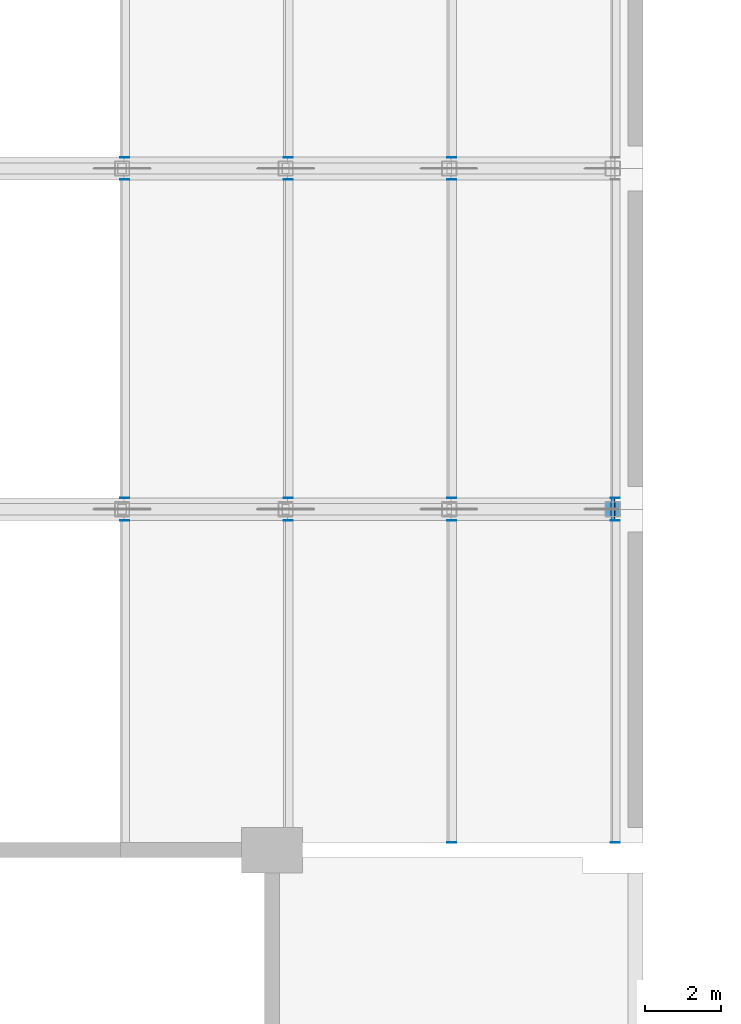
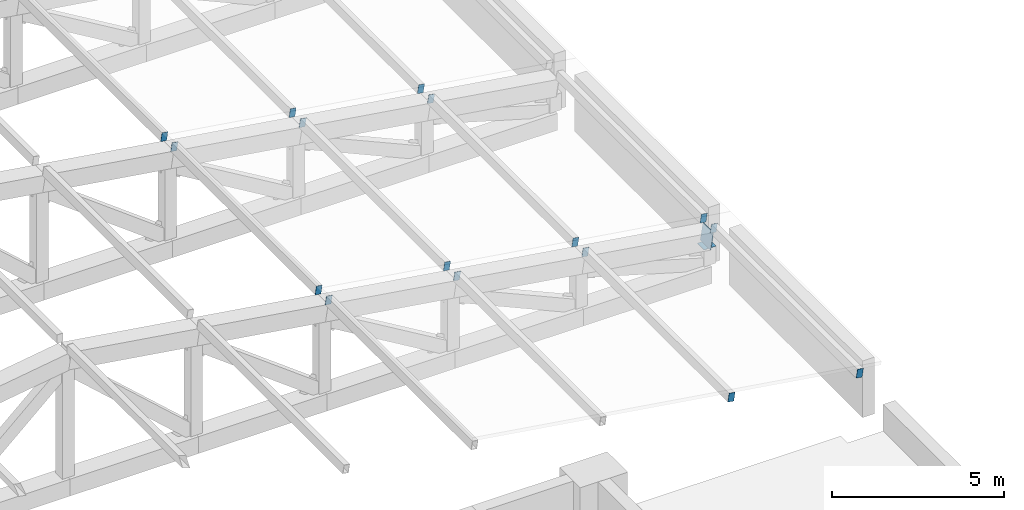
# One storey, part 28 of 32: 18 discrete accessories.
"""IFC4 building model written with IfcOpenShell, lengths in metres."""

from ifc_helpers import new_model, si_unit, direction, frame, origin, place, context, subcontext, project, spatial, polyline, outline, extrude, material, layer, layer_set, type_object, element, save


model = new_model("IFC4")

# Units and contexts
model_context = context("Model", 3, precision=1e-05, world=origin(), true_north=direction((0.0, 1.0)))
body_context = subcontext(model_context, "Body", "Model", "MODEL_VIEW")
ifc_project = project(units=[si_unit("LENGTHUNIT", "METRE"), si_unit("AREAUNIT", "SQUARE_METRE"), si_unit("VOLUMEUNIT", "CUBIC_METRE"), si_unit("PLANEANGLEUNIT", "RADIAN"), si_unit("MASSUNIT", "GRAM", prefix="KILO")], contexts=[model_context])

# Site, building, storey
site_placement = place(None, origin())
site = spatial("IfcSite", under=ifc_project, at=site_placement, CompositionType="ELEMENT")
building_placement = place(site_placement, origin())
building = spatial("IfcBuilding", under=site, at=building_placement, Name="Aravalli Gate Trade Fair Centre", CompositionType="ELEMENT")
storey_placement = place(building_placement, frame((0.0, 0.0, 23.39990234375)))
storey = spatial("IfcBuildingStorey", under=building, at=storey_placement, Name="ROOF LEVEL 1", CompositionType="ELEMENT", Elevation=23.39990234375)

# Discrete accessories
ifc_material = material(Name="Steel E350", Category="steel")
ifc_layer_1 = layer(ifc_material, 0.010009765625)
ifc_layer_set_1 = layer_set([ifc_layer_1], Name="Steel E350")
discrete_accessory_type_1 = type_object("IfcDiscreteAccessoryType", Name="End plate 200x300 x 10", PredefinedType="USERDEFINED", material=ifc_layer_set_1)
for number, where, z_axis, x_axis, name in (
    (1, (137.18408203125, 72.7099609375, 3.761474609375), (0.0, 1.0, 0.0), (-0.988456294987, 0.0, 0.151506280072), "End plate Roof purlin line 8 bay 1 end B"),
    (2, (137.18408203125, 73.300048828125, 3.761474609375), (0.0, 1.0, 0.0), (-0.988456294987, 0.0, 0.151506280072), "End plate Roof purlin line 8 bay 2 end A"),
    (3, (137.18408203125, 81.7099609375, 3.761474609375), (0.0, 1.0, 0.0), (-0.988456294987, 0.0, 0.151506280072), "End plate Roof purlin line 8 bay 2 end B"),
    (4, (137.18408203125, 82.300048828125, 3.761474609375), (0.0, 1.0, 0.0), (-0.988456294987, 0.0, 0.151506280072), "End plate Roof purlin line 8 bay 3 end A"),
):
    element("IfcDiscreteAccessory", number, at=place(storey_placement, frame(where, z_axis=z_axis, x_axis=x_axis)), inside=storey, type_object=discrete_accessory_type_1, Name=name, ObjectType="END CAP", PredefinedType="USERDEFINED", context=body_context, shape_type="SweptSolid", body=[
        extrude(outline(polyline([(0.0, 0.0), (0.19981638705398722, -3.469446951953614e-18), (0.2001131926484928, 0.30004957524953746), (5.5483256862352837e-05, 0.30008656408744566), (0.0, 0.0)])), origin(), (0.0, 0.0, -1.0), 0.010009765625),
    ])
for number, where, z_axis, x_axis, name in (
    (5, (141.504150390625, 72.7099609375, 3.1015625), (0.0, 1.0, 0.0), (-0.988666145559, 0.0, 0.150130785066), "End plate Roof purlin line 9 bay 1 end B"),
    (6, (141.504150390625, 73.300048828125, 3.1015625), (0.0, 1.0, 0.0), (-0.988666145559, 0.0, 0.150130785066), "End plate Roof purlin line 9 bay 2 end A"),
    (7, (141.504150390625, 81.7099609375, 3.1015625), (0.0, 1.0, 0.0), (-0.988666145559, 0.0, 0.150130785066), "End plate Roof purlin line 9 bay 2 end B"),
    (8, (141.504150390625, 82.300048828125, 3.1015625), (0.0, 1.0, 0.0), (-0.988666145559, 0.0, 0.150130785066), "End plate Roof purlin line 9 bay 3 end A"),
):
    element("IfcDiscreteAccessory", number, at=place(storey_placement, frame(where, z_axis=z_axis, x_axis=x_axis)), inside=storey, type_object=discrete_accessory_type_1, Name=name, ObjectType="END CAP", PredefinedType="USERDEFINED", context=body_context, shape_type="SweptSolid", body=[
        extrude(outline(polyline([(0.0, 0.0), (0.20002091417634477, -3.469446951953614e-18), (0.19965885382030493, 0.30008635080006396), (-0.00036206035603982695, 0.30008635080006396), (0.0, 0.0)])), origin(), (0.0, 0.0, -1.0), 0.010009765625),
    ])
for number, where, z_axis, x_axis, name in (
    (9, (145.82421875, 64.199951171875, 2.44140625), (0.0, 1.0, 0.0), (-0.988484290215, 0.0, 0.151323520971), "End plate Roof purlin line 10 bay 1 end A"),
    (10, (145.82421875, 72.7099609375, 2.44140625), (0.0, 1.0, 0.0), (-0.988484290215, 0.0, 0.151323520971), "End plate Roof purlin line 10 bay 1 end B"),
    (11, (145.82421875, 73.300048828125, 2.44140625), (0.0, 1.0, 0.0), (-0.988484290215, 0.0, 0.151323520971), "End plate Roof purlin line 10 bay 2 end A"),
    (12, (145.82421875, 81.7099609375, 2.44140625), (0.0, 1.0, 0.0), (-0.988484290215, 0.0, 0.151323520971), "End plate Roof purlin line 10 bay 2 end B"),
    (13, (145.82421875, 82.300048828125, 2.44140625), (0.0, 1.0, 0.0), (-0.988484290215, 0.0, 0.151323520971), "End plate Roof purlin line 10 bay 3 end A"),
):
    element("IfcDiscreteAccessory", number, at=place(storey_placement, frame(where, z_axis=z_axis, x_axis=x_axis)), inside=storey, type_object=discrete_accessory_type_1, Name=name, ObjectType="END CAP", PredefinedType="USERDEFINED", context=body_context, shape_type="SweptSolid", body=[
        extrude(outline(polyline([(0.0, 0.0), (0.2000577128110791, 0.0), (0.2000577128110791, 0.30008656921661864), (0.0002413291724156566, 0.30004962499763155), (0.0, 0.0)])), origin(), (0.0, 0.0, -1.0), 0.010009765625),
    ])
for number, where, z_axis, x_axis, name in (
    (14, (150.144287109375, 64.199951171875, 1.781494140625), (0.0, 1.0, 0.0), (-0.988484290215, 0.0, 0.151323520971), "End plate Roof purlin line 11 bay 1 end A"),
    (15, (150.144287109375, 72.7099609375, 1.781494140625), (0.0, 1.0, 0.0), (-0.988484290215, 0.0, 0.151323520971), "End plate Roof purlin line 11 bay 1 end B"),
    (16, (150.144287109375, 73.300048828125, 1.781494140625), (0.0, 1.0, 0.0), (-0.988484290215, 0.0, 0.151323520971), "End plate Roof purlin line 11 bay 2 end A"),
):
    element("IfcDiscreteAccessory", number, at=place(storey_placement, frame(where, z_axis=z_axis, x_axis=x_axis)), inside=storey, type_object=discrete_accessory_type_1, Name=name, ObjectType="END CAP", PredefinedType="USERDEFINED", context=body_context, shape_type="SweptSolid", body=[
        extrude(outline(polyline([(0.0, 0.0), (0.2000577128110791, 0.0), (0.20029904198349474, 0.30004962499763155), (0.0002413291724156566, 0.30004962499763155), (0.0, 0.0)])), origin(), (0.0, 0.0, -1.0), 0.010009765625),
    ])
ifc_layer_2 = layer(ifc_material, 0.011962890625)
ifc_layer_set_2 = layer_set([ifc_layer_2], Name="Steel E350")
discrete_accessory_type_2 = type_object("IfcDiscreteAccessoryType", Name="End plate 400x400 x 12", PredefinedType="USERDEFINED", material=ifc_layer_set_2)
discrete_accessory_1_placement = place(storey_placement, frame((149.800048828125, 72.800048828125, 1.20849609375), z_axis=(0.0, 0.0, 1.0), x_axis=(1.0, 0.0, 0.0)))
element("IfcDiscreteAccessory", 17, at=discrete_accessory_1_placement, inside=storey, type_object=discrete_accessory_type_2, Name="End plate Roof truss 73 post 10 end B", ObjectType="END CAP", PredefinedType="USERDEFINED", context=body_context, shape_type="SweptSolid", body=[
    extrude(outline(polyline([(0.0, 0.0), (0.39990234375, 0.0), (0.39990234375, 0.39990234375), (0.0, 0.39990234375), (0.0, 0.0)])), origin(), (0.0, 0.0, -1.0), 0.011962890625),
])
ifc_layer_3 = layer(ifc_material, 0.01611328125)
ifc_layer_set_3 = layer_set([ifc_layer_3], Name="Steel E350")
discrete_accessory_type_3 = type_object("IfcDiscreteAccessoryType", Name="End plate 600x600 x 16", PredefinedType="USERDEFINED", material=ifc_layer_set_3)
discrete_accessory_2_placement = place(storey_placement, frame((149.95458984375, 72.699951171875, 1.20361328125), z_axis=(-0.988474969732, 0.0, 0.151384392236), x_axis=(0.0, 1.0, 0.0)))
element("IfcDiscreteAccessory", 18, at=discrete_accessory_2_placement, inside=storey, type_object=discrete_accessory_type_3, Name="End plate Roof truss 73 top chord 10 end B", ObjectType="END CAP", PredefinedType="USERDEFINED", context=body_context, shape_type="SweptSolid", body=[
    extrude(outline(polyline([(0.0, 0.0), (0.60009765625, 0.0), (0.60009765625, -0.5999318103983469), (0.0, -0.5999318103983469), (0.0, 0.0)])), origin(), (0.0, 0.0, -1.0), 0.01611328125),
])

save(model, "model.ifc")
